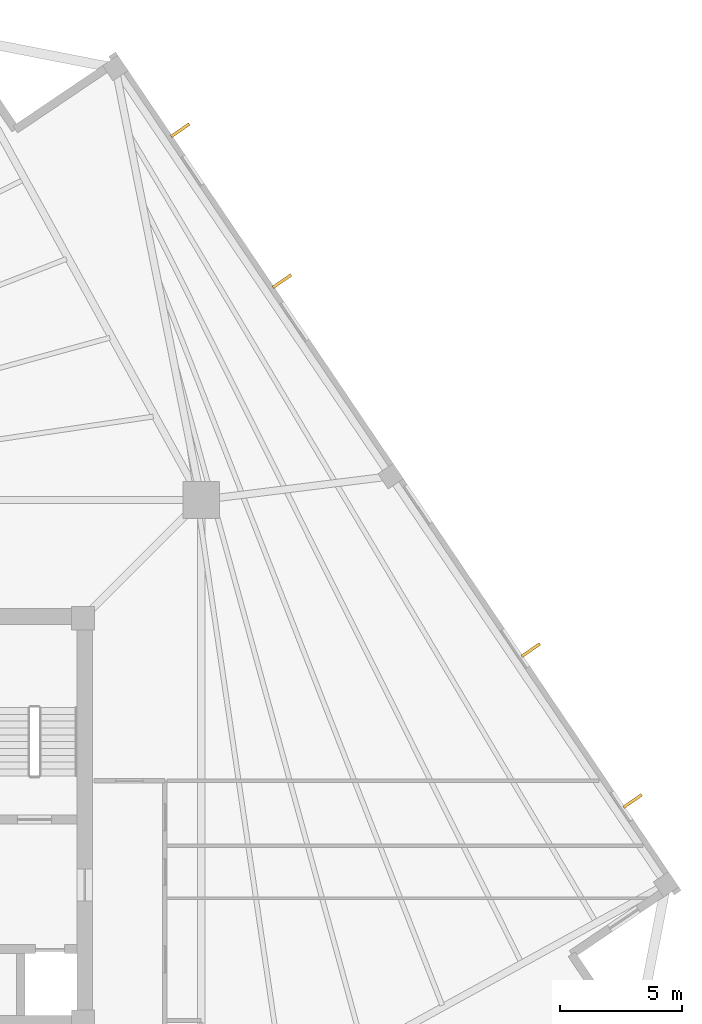
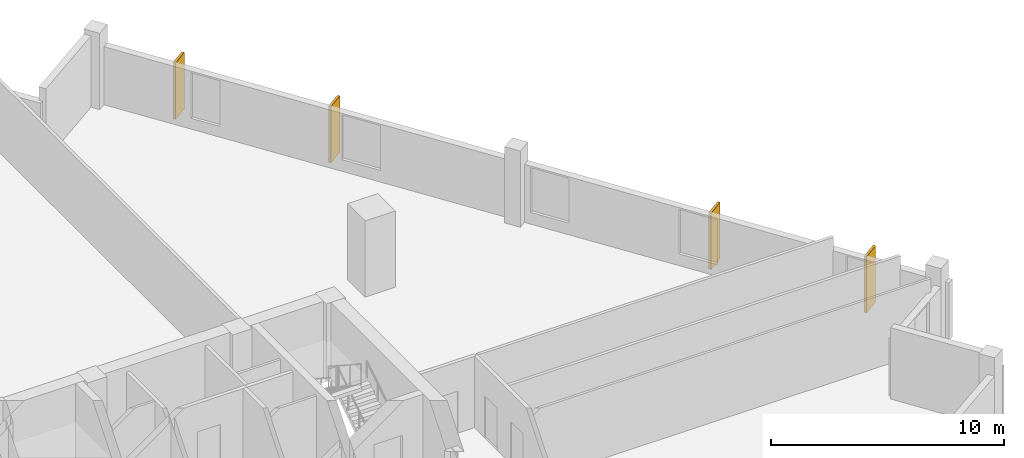
# One storey, part 8 of 8: 4 coverings.
"""IFC4 building model written with IfcOpenShell, lengths in metres."""

from ifc_helpers import new_model, si_unit, direction, frame, origin, origin_2d, place, context, subcontext, project, spatial, rectangle, extrude, source, transform, mapped, material, layer, layer_set, type_object, element, save


model = new_model("IFC4")

# Units and contexts
model_context = context("Model", 3, precision=1e-05, world=origin(), true_north=direction((0.0, 1.0)))
body_context = subcontext(model_context, "Body", "Model", "MODEL_VIEW")
ifc_project = project(units=[si_unit("LENGTHUNIT", "METRE"), si_unit("AREAUNIT", "SQUARE_METRE"), si_unit("VOLUMEUNIT", "CUBIC_METRE"), si_unit("PLANEANGLEUNIT", "RADIAN"), si_unit("MASSUNIT", "GRAM", prefix="KILO"), si_unit("THERMODYNAMICTEMPERATUREUNIT", "KELVIN")], contexts=[model_context])

# Site, building, storey
site_placement = place(None, origin())
site = spatial("IfcSite", under=ifc_project, at=site_placement, CompositionType="ELEMENT")
building_placement = place(site_placement, origin())
building = spatial("IfcBuilding", under=site, at=building_placement, Name="Kosmvard Interchange Tower", CompositionType="ELEMENT")
storey_placement = place(building_placement, frame((0.0, 0.0, 176.39990234375)))
storey = spatial("IfcBuildingStorey", under=building, at=storey_placement, Name="L42", CompositionType="ELEMENT", Elevation=176.39990234375)

# Coverings
ifc_material = material(Name="Architectural anodised aluminium", Category="aluminium")
ifc_layer = layer(ifc_material, 0.1201171875, Name="Architectural anodised aluminium")
ifc_layer_set = layer_set([ifc_layer], Name="Architectural anodised aluminium")
covering_type = type_object("IfcCoveringType", Name="Rotating Vertical Sun-Breaker Fin 900x120 Aluminium", PredefinedType="CLADDING", material=ifc_layer_set)
shared_shape = source(origin(), body_context, "Body", "SweptSolid", [
    extrude(rectangle(XDim=0.89990234375, YDim=0.1201171875, at=origin_2d()), origin(), (0.0, 0.0, 1.0), 2.9599609375),
])
for number, where, z_axis, x_axis, name in (
    (1, (30.718994140625, 0.774169921875, 0.0400390625), (0.0, 0.0, 1.0), (0.82234270698, 0.568992506345, 0.0), "L42 Rotating Vertical Sun-Breaker Fin 05"),
    (2, (26.557861328125, 6.943115234375, 0.0400390625), (0.0, 0.0, 1.0), (0.82234270698, 0.568992506345, 0.0), "L42 Rotating Vertical Sun-Breaker Fin 06"),
    (3, (16.38623046875, 22.02294921875, 0.0400390625), (0.0, 0.0, 1.0), (0.82234270698, 0.568992506345, 0.0), "L42 Rotating Vertical Sun-Breaker Fin 07"),
    (4, (12.225341796875, 28.192138671875, 0.0400390625), (0.0, 0.0, 1.0), (0.82234270698, 0.568992506345, 0.0), "L42 Rotating Vertical Sun-Breaker Fin 08"),
):
    element("IfcCovering", number, at=place(storey_placement, frame(where, z_axis=z_axis, x_axis=x_axis)), inside=storey, type_object=covering_type, Name=name, PredefinedType="CLADDING", context=body_context, shape_type="MappedRepresentation", body=[
        mapped(shared_shape, transform((0.0, 0.0, 0.0), scale=1.0)),
    ])

save(model, "model.ifc")
